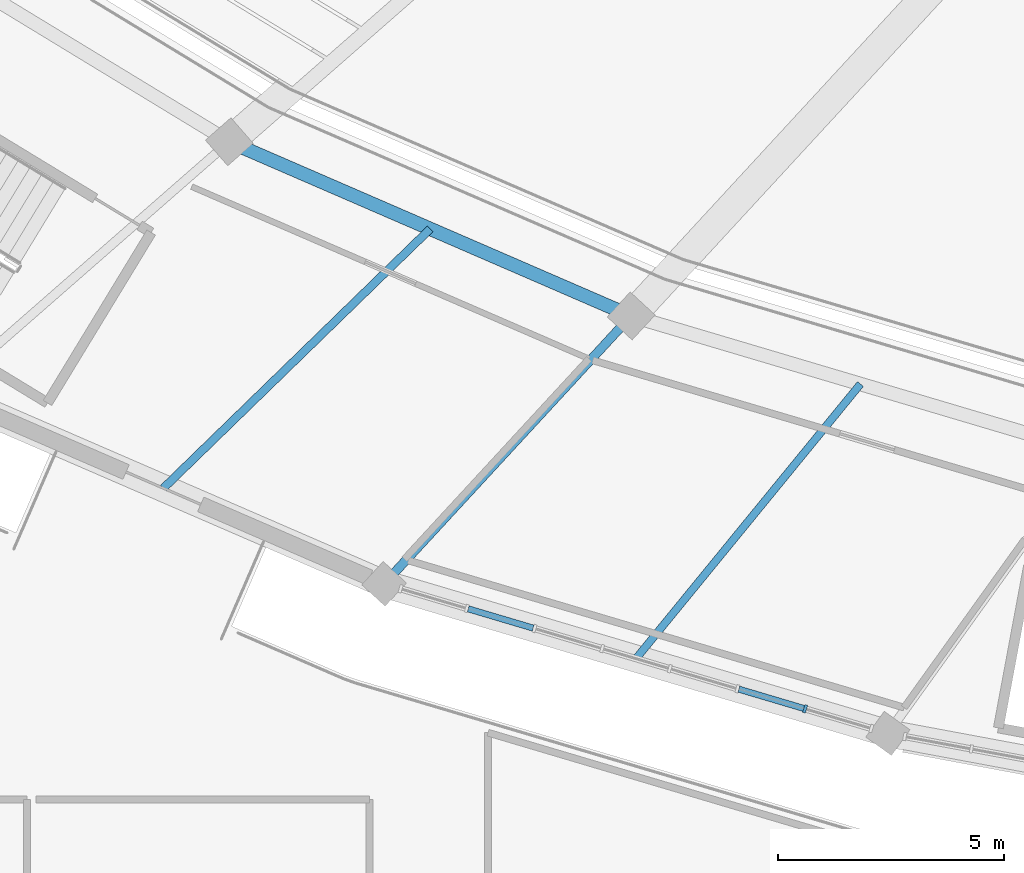
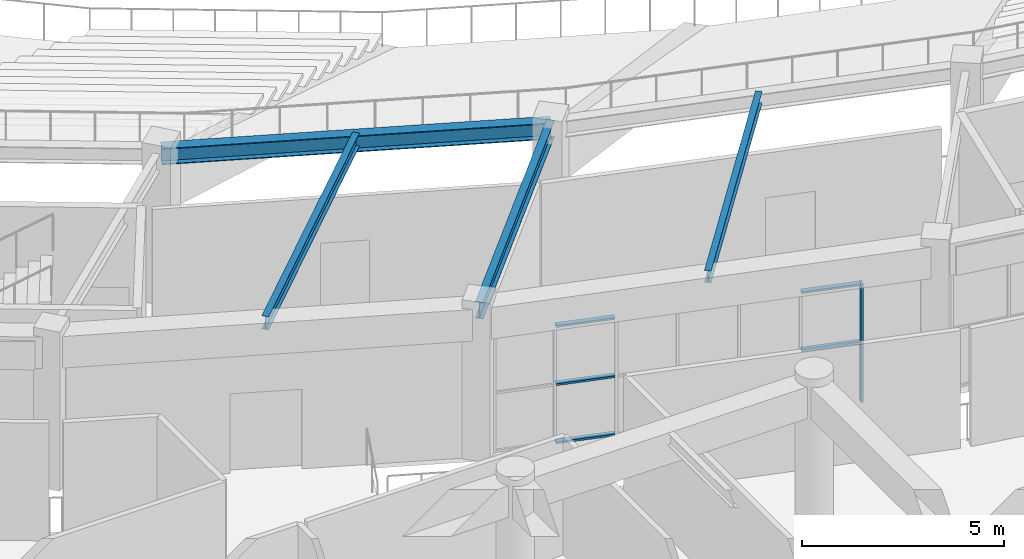
# One storey, part 16 of 137: 6 members, 4 beams, 1 element without a shape of its own.
"""IFC4 building model written with IfcOpenShell, lengths in metres."""

from ifc_helpers import new_model, si_unit, direction, frame, origin, origin_2d, place, context, subcontext, project, spatial, rectangle, i_section, extrude, material, layer, layer_set, material_profile, profile_set, type_object, element, aggregate, save


model = new_model("IFC4")

# Units and contexts
model_context = context("Model", 3, precision=1e-05, world=origin(), true_north=direction((0.0, 1.0)))
body_context = subcontext(model_context, "Body", "Model", "MODEL_VIEW")
ifc_project = project(units=[si_unit("LENGTHUNIT", "METRE"), si_unit("AREAUNIT", "SQUARE_METRE"), si_unit("VOLUMEUNIT", "CUBIC_METRE"), si_unit("PLANEANGLEUNIT", "RADIAN"), si_unit("MASSUNIT", "GRAM", prefix="KILO")], contexts=[model_context])

# Site, building, storey
site_placement = place(None, origin())
site = spatial("IfcSite", under=ifc_project, at=site_placement, CompositionType="ELEMENT")
building_placement = place(site_placement, origin())
building = spatial("IfcBuilding", under=site, at=building_placement, Name="Mphavela Belvedere Stadium", CompositionType="ELEMENT")
storey_placement = place(building_placement, frame((0.0, 0.0, 19.199951171875)))
storey = spatial("IfcBuildingStorey", under=building, at=storey_placement, Name="L04", CompositionType="ELEMENT", Elevation=19.199951171875)

# Beams
ifc_material_1 = material(Name="Steel S355", Category="steel")
ifc_material_profile_1 = material_profile(ifc_material_1, i_section(OverallWidth=0.169921875, OverallDepth=0.360107421875, WebThickness=0.008056640625, FlangeThickness=0.0126953125, at=origin_2d()), Name="IPE 360")
ifc_profile_set_1 = profile_set([ifc_material_profile_1], Name="Steel S355")
beam_type_1 = type_object("IfcBeamType", Name="BM-JOIST-IPE360", PredefinedType="JOIST", material=ifc_profile_set_1)
beam_1_placement = place(storey_placement, frame((64.593017578125, 25.327392578125, 4.3701171875), z_axis=(-0.632839277586, -0.774283183818, 0.0), x_axis=(0.774283183818, -0.632839277586, 0.0)))
element("IfcBeam", 1, at=beam_1_placement, inside=storey, type_object=beam_type_1, Name="Concourse floor joist L04-33", PredefinedType="JOIST", context=body_context, shape_type="SweptSolid", body=[
    extrude(i_section(OverallWidth=0.169921875, OverallDepth=0.360107421875, WebThickness=0.008056640625, FlangeThickness=0.0126953125, at=origin_2d()), origin(), (0.0, 0.0, 1.0), 7.841552734375),
])
ifc_material_2 = material(Name="Steel S355", Category="steel")
ifc_material_profile_2 = material_profile(ifc_material_2, i_section(OverallWidth=0.179931640625, OverallDepth=0.39990234375, WebThickness=0.008544921875, FlangeThickness=0.013427734375, at=origin_2d()), Name="IPE 400")
ifc_profile_set_2 = profile_set([ifc_material_profile_2], Name="Steel S355")
beam_type_2 = type_object("IfcBeamType", Name="BM-JOIST-IPE400", PredefinedType="JOIST", material=ifc_profile_set_2)
beam_2_placement = place(storey_placement, frame((55.081787109375, 28.757568359375, 4.35009765625), z_axis=(-0.717067022089, -0.697004222249, 0.0), x_axis=(0.697004222249, -0.717067022089, 0.0)))
element("IfcBeam", 2, at=beam_2_placement, inside=storey, type_object=beam_type_2, Name="Concourse floor joist L04-32", PredefinedType="JOIST", context=body_context, shape_type="SweptSolid", body=[
    extrude(i_section(OverallWidth=0.179931640625, OverallDepth=0.39990234375, WebThickness=0.008544921875, FlangeThickness=0.013427734375, at=origin_2d()), origin(), (0.0, 0.0, 1.0), 8.22607421875),
])
ifc_material_3 = material(Name="Steel S355", Category="steel")
ifc_material_profile_3 = material_profile(ifc_material_3, i_section(OverallWidth=0.300048828125, OverallDepth=0.489990234375, WebThickness=0.011962890625, FlangeThickness=0.02294921875, at=origin_2d()), Name="HEA 500")
ifc_profile_set_3 = profile_set([ifc_material_profile_3], Name="Steel S355")
beam_type_3 = type_object("IfcBeamType", Name="BM-STEEL-HEA500", PredefinedType="BEAM", material=ifc_profile_set_3)
beam_3_placement = place(storey_placement, frame((50.639892578125, 30.68310546875, 4.304931640625), z_axis=(0.917501650019, -0.397731972832, 0.0), x_axis=(0.397731972832, 0.917501650019, 0.0)))
element("IfcBeam", 3, at=beam_3_placement, inside=storey, type_object=beam_type_3, Name="Circumferential girder L04 R3-32", PredefinedType="BEAM", context=body_context, shape_type="SweptSolid", body=[
    extrude(i_section(OverallWidth=0.300048828125, OverallDepth=0.489990234375, WebThickness=0.011962890625, FlangeThickness=0.02294921875, at=origin_2d()), origin(), (0.0, 0.0, 1.0), 9.6826171875),
])
ifc_material_4 = material(Name="Steel S355", Category="steel")
ifc_material_profile_4 = material_profile(ifc_material_4, i_section(OverallWidth=0.199951171875, OverallDepth=0.5, WebThickness=0.01025390625, FlangeThickness=0.01611328125, at=origin_2d()), Name="IPE 500")
ifc_profile_set_4 = profile_set([ifc_material_profile_4], Name="Steel S355")
beam_type_4 = type_object("IfcBeamType", Name="BM-STEEL-IPE500", PredefinedType="BEAM", material=ifc_profile_set_4)
beam_4_placement = place(storey_placement, frame((59.523681640625, 26.83203125, 4.300048828125), z_axis=(-0.67784325477, -0.735206448532, 0.0), x_axis=(0.735206448532, -0.67784325477, 0.0)))
element("IfcBeam", 4, at=beam_4_placement, inside=storey, type_object=beam_type_4, Name="Radial concourse girder L04 R3R4-33", PredefinedType="BEAM", context=body_context, shape_type="SweptSolid", body=[
    extrude(i_section(OverallWidth=0.199951171875, OverallDepth=0.5, WebThickness=0.01025390625, FlangeThickness=0.01611328125, at=origin_2d()), origin(), (0.0, 0.0, 1.0), 8.056640625),
])

# Curtain wall, members
ifc_material_5 = material(Name="Anodised bronze unitised curtain wall framing")
ifc_layer = layer(ifc_material_5, 0.179931640625)
ifc_layer_set = layer_set([ifc_layer], Name="Anodised bronze unitised curtain wall framing")
curtain_wall_type = type_object("IfcCurtainWallType", Name="CW-UNIT-01", PredefinedType="USERDEFINED", material=ifc_layer_set)
curtain_wall_placement = place(storey_placement, origin())
curtain_wall = element("IfcCurtainWall", 5, at=curtain_wall_placement, inside=storey, type_object=curtain_wall_type, Name="Belvedere colonnade curtain wall L04-33", ObjectType="UNITISED CURTAIN WALL", PredefinedType="USERDEFINED")
ifc_material_6 = material(Name="Anodised bronze extruded aluminium", Category="aluminium")
ifc_material_profile_5 = material_profile(ifc_material_6, rectangle(XDim=0.179931640625, YDim=0.06494140625, at=origin_2d()), Name="CW-MUL 180x65")
ifc_profile_set_5 = profile_set([ifc_material_profile_5], Name="Anodised bronze extruded aluminium")
member_type_1 = type_object("IfcMemberType", Name="CWM-180x65", PredefinedType="MULLION", material=ifc_profile_set_5)
member_1_placement = place(storey_placement, frame((63.36962890625, 18.14599609375, 0.0), z_axis=(0.0, 0.0, 1.0), x_axis=(0.284560945489, 0.958657951671, 0.0)))
member_1 = element("IfcMember", 6, at=member_1_placement, type_object=member_type_1, Name="CW-01 mullion 7", PredefinedType="MULLION", context=body_context, shape_type="SweptSolid", body=[
    extrude(rectangle(XDim=0.179931640625, YDim=0.06494140625, at=origin_2d()), origin(), (0.0, 0.0, 1.0), 3.570068359375),
])
ifc_material_7 = material(Name="Anodised bronze extruded aluminium", Category="aluminium")
ifc_material_profile_6 = material_profile(ifc_material_7, rectangle(XDim=0.139892578125, YDim=0.06005859375, at=origin_2d()), Name="CW-TRN 140x60")
ifc_profile_set_6 = profile_set([ifc_material_profile_6], Name="Anodised bronze extruded aluminium")
member_type_2 = type_object("IfcMemberType", Name="CWT-140x60", PredefinedType="USERDEFINED", material=ifc_profile_set_6)
member_2_placement = place(storey_placement, frame((55.9228515625, 20.3564453125, 0.030029296875), z_axis=(0.958676102342, -0.284499790508, 0.0), x_axis=(0.284499790508, 0.958676102342, 0.0)))
member_2 = element("IfcMember", 7, at=member_2_placement, type_object=member_type_2, Name="CW-01 transom 2.1", ObjectType="TRANSOM", PredefinedType="USERDEFINED", context=body_context, shape_type="SweptSolid", body=[
    extrude(rectangle(XDim=0.139892578125, YDim=0.06005859375, at=origin_2d()), origin(), (0.0, 0.0, 1.0), 1.494873046875),
])
member_3_placement = place(storey_placement, frame((55.9228515625, 20.3564453125, 1.78515625), z_axis=(0.958676102342, -0.284499790508, 0.0), x_axis=(0.284499790508, 0.958676102342, 0.0)))
member_3 = element("IfcMember", 8, at=member_3_placement, type_object=member_type_2, Name="CW-01 transom 2.2", ObjectType="TRANSOM", PredefinedType="USERDEFINED", context=body_context, shape_type="SweptSolid", body=[
    extrude(rectangle(XDim=0.139892578125, YDim=0.06005859375, at=origin_2d()), origin(), (0.0, 0.0, 1.0), 1.494873046875),
])
member_4_placement = place(storey_placement, frame((55.9228515625, 20.3564453125, 3.5400390625), z_axis=(0.958676102342, -0.284499790508, 0.0), x_axis=(0.284499790508, 0.958676102342, 0.0)))
member_4 = element("IfcMember", 9, at=member_4_placement, type_object=member_type_2, Name="CW-01 transom 2.3", ObjectType="TRANSOM", PredefinedType="USERDEFINED", context=body_context, shape_type="SweptSolid", body=[
    extrude(rectangle(XDim=0.139892578125, YDim=0.06005859375, at=origin_2d()), origin(), (0.0, 0.0, 1.0), 1.494873046875),
])
member_5_placement = place(storey_placement, frame((61.9052734375, 18.580810546875, 1.78515625), z_axis=(0.958631548823, -0.284649878977, 0.0), x_axis=(0.284649878977, 0.958631548823, 0.0)))
member_5 = element("IfcMember", 10, at=member_5_placement, type_object=member_type_2, Name="CW-01 transom 6.2", ObjectType="TRANSOM", PredefinedType="USERDEFINED", context=body_context, shape_type="SweptSolid", body=[
    extrude(rectangle(XDim=0.139892578125, YDim=0.06005859375, at=origin_2d()), origin(), (0.0, 0.0, 1.0), 1.494873046875),
])
member_6_placement = place(storey_placement, frame((61.9052734375, 18.580810546875, 3.5400390625), z_axis=(0.958631548823, -0.284649878977, 0.0), x_axis=(0.284649878977, 0.958631548823, 0.0)))
member_6 = element("IfcMember", 11, at=member_6_placement, type_object=member_type_2, Name="CW-01 transom 6.3", ObjectType="TRANSOM", PredefinedType="USERDEFINED", context=body_context, shape_type="SweptSolid", body=[
    extrude(rectangle(XDim=0.139892578125, YDim=0.06005859375, at=origin_2d()), origin(), (0.0, 0.0, 1.0), 1.494873046875),
])
aggregate(curtain_wall, [member_1, member_2, member_3, member_4, member_5, member_6])

save(model, "model.ifc")
